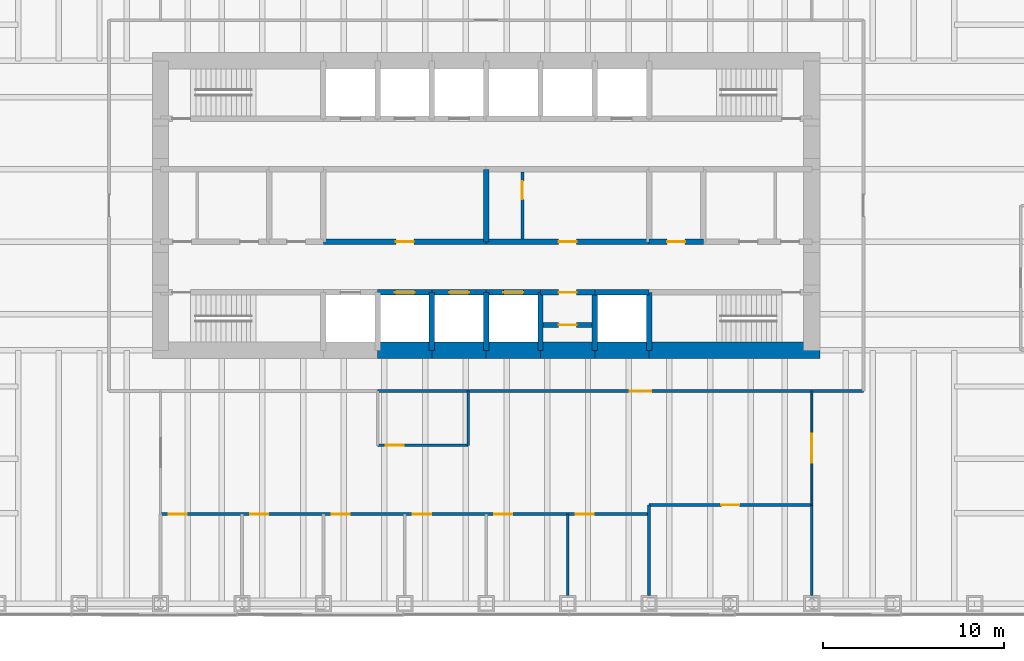
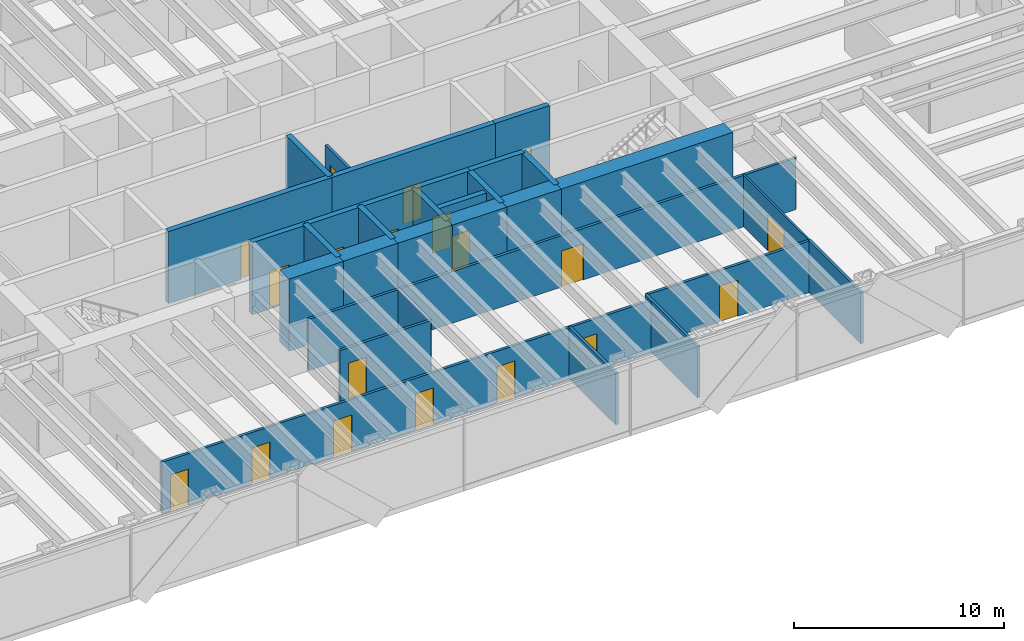
# One storey, part 12 of 15: 32 walls, 19 doors, 19 openings.
"""IFC4 building model written with IfcOpenShell, lengths in metres."""

import ifcopenshell
import ifcopenshell.guid

model = None  # the IFC model being written
_history = None  # IfcOwnerHistory: only IFC2X3 demands one
_inside = {}  # id of a spatial element -> (the spatial element, [elements in it])
_under = {}  # id of a project, library or spatial element -> (it, [spatial elements below it])
_declared = {}  # id of a project -> (the project, [libraries it declares])
_typed = {}  # id of a type object -> (the type object, [elements of that type])
_made_of = {}  # id of a material, layer set ... -> (it, [elements and type objects made of it])


def new_model(schema):
    """Start an empty IFC model of exactly this schema.

    Asked for "IFC4X3", IfcOpenShell would pick the latest addendum, in which some entities
    have other attributes; the version numbers below select the first issue.
    IFC2X3 requires an IfcOwnerHistory on every rooted entity: one is made here for all.
    """
    global model, _history
    if schema == "IFC4X3":
        model = ifcopenshell.file(schema_version=(4, 3, 0, 0))
    else:
        model = ifcopenshell.file(schema=schema)
    _inside.clear()
    _under.clear()
    _declared.clear()
    _typed.clear()
    _made_of.clear()
    _history = None
    if model.schema == "IFC2X3":
        org = make("IfcOrganization", Name="unknown")
        user = make(
            "IfcPersonAndOrganization",
            ThePerson=make("IfcPerson", FamilyName="unknown"),
            TheOrganization=org,
        )
        app = make(
            "IfcApplication",
            ApplicationDeveloper=org,
            Version="unknown",
            ApplicationFullName="unknown",
            ApplicationIdentifier="unknown",
        )
        _history = make(
            "IfcOwnerHistory",
            OwningUser=user,
            OwningApplication=app,
            ChangeAction="ADDED",
            CreationDate=0,
        )
    return model


def make(cls, **values):
    """One entity of the class cls with the attributes given. An attribute that is None is left unset."""
    return model.create_entity(
        cls, **{name: value for name, value in values.items() if value is not None}
    )


def rooted(cls, **values):
    """An entity with a GlobalId (a new one), such as an element, a storey or a relation."""
    return make(cls, GlobalId=ifcopenshell.guid.new(), OwnerHistory=_history, **values)


def si_unit(unit_type, name, prefix=None):
    """IfcSIUnit, for example si_unit("LENGTHUNIT", "METRE", prefix="MILLI")."""
    return make("IfcSIUnit", UnitType=unit_type, Prefix=prefix, Name=name)


def assignment(units):
    """IfcUnitAssignment: the units of a project."""
    return None if units is None else make("IfcUnitAssignment", Units=units)


def point(xyz):
    """IfcCartesianPoint."""
    return None if xyz is None else make("IfcCartesianPoint", Coordinates=xyz)


def direction(xyz):
    """IfcDirection."""
    return None if xyz is None else make("IfcDirection", DirectionRatios=xyz)


def frame(location, z_axis=None, x_axis=None):
    """IfcAxis2Placement3D, a coordinate frame: its origin and axes. An axis left out is left unset."""
    return make(
        "IfcAxis2Placement3D",
        Location=point(location),
        Axis=direction(z_axis),
        RefDirection=direction(x_axis),
    )


def frame_2d(location, x_axis=None):
    """IfcAxis2Placement2D, a coordinate frame in the plane: its origin and x axis."""
    return make(
        "IfcAxis2Placement2D", Location=point(location), RefDirection=direction(x_axis)
    )


def origin():
    """The frame at (0, 0, 0) with its axes left unset."""
    return frame((0.0, 0.0, 0.0))


def place(relative_to, where):
    """IfcLocalPlacement: puts the frame where relative to a parent placement (None: the world)."""
    return make(
        "IfcLocalPlacement", PlacementRelTo=relative_to, RelativePlacement=where
    )


def context(
    kind, dimensions, precision=None, world=None, true_north=None, identifier=None
):
    """IfcGeometricRepresentationContext, for example the 3D "Model" context."""
    return make(
        "IfcGeometricRepresentationContext",
        ContextIdentifier=identifier,
        ContextType=kind,
        CoordinateSpaceDimension=dimensions,
        Precision=precision,
        WorldCoordinateSystem=world,
        TrueNorth=true_north,
    )


def subcontext(parent, identifier, kind, view, scale=None):
    """IfcGeometricRepresentationSubContext, for example "Body" below "Model"."""
    return make(
        "IfcGeometricRepresentationSubContext",
        ContextIdentifier=identifier,
        ContextType=kind,
        ParentContext=parent,
        TargetScale=scale,
        TargetView=view,
    )


def project(units=None, contexts=None):
    """IfcProject with its units and contexts."""
    return rooted(
        "IfcProject",
        Name="project",
        RepresentationContexts=contexts,
        UnitsInContext=assignment(units),
    )


def spatial(cls, under=None, at=None, **own):
    """A site, building, storey or space (cls), placed at a placement, below another one or the project."""
    s = rooted(cls, ObjectPlacement=at, **own)
    if under is not None:
        _under.setdefault(under.id(), (under, []))[1].append(s)
    return s


def profile(cls, at=None, kind="AREA", **sizes):
    """A parametric profile (cls). Its sizes go by their IFC names, for example OverallWidth=200.0."""
    return make(cls, ProfileType=kind, Position=at, **sizes)


def rectangle(**sizes):
    """IfcRectangleProfileDef."""
    return profile("IfcRectangleProfileDef", **sizes)


def extrude(swept, where, along, depth):
    """IfcExtrudedAreaSolid: the profile swept, set in the frame where, extruded along a direction by depth."""
    return make(
        "IfcExtrudedAreaSolid",
        SweptArea=swept,
        Position=where,
        ExtrudedDirection=direction(along),
        Depth=depth,
    )


def shape(context_of_items, identifier, shape_type, items):
    """IfcShapeRepresentation: the items that make up one representation, for example the "Body"."""
    return make(
        "IfcShapeRepresentation",
        ContextOfItems=context_of_items,
        RepresentationIdentifier=identifier,
        RepresentationType=shape_type,
        Items=items,
    )


def material(Name=None, Category=None):
    """IfcMaterial."""
    return make("IfcMaterial", Name=Name, Category=Category)


def layer(
    of_material, thickness, ventilated=None, Name=None, Category=None, Priority=None
):
    """IfcMaterialLayer: one layer of a wall or slab, of a material (None: an air gap)."""
    return make(
        "IfcMaterialLayer",
        Material=of_material,
        LayerThickness=thickness,
        IsVentilated=ventilated,
        Name=Name,
        Category=Category,
        Priority=Priority,
    )


def layer_set(layers, Name=None):
    """IfcMaterialLayerSet."""
    return make("IfcMaterialLayerSet", MaterialLayers=layers, LayerSetName=Name)


def made_of(thing, what):
    """Note that an element or type object is made of a material, layer set ...; save() writes the relation."""
    if what is not None:
        _made_of.setdefault(what.id(), (what, []))[1].append(thing)
    return thing


def type_object(cls, material=None, **own):
    """A type object (cls), such as IfcWallType, which elements share."""
    return made_of(rooted(cls, **own), material)


def element(
    cls,
    number,
    at=None,
    inside=None,
    cuts=None,
    type_object=None,
    material=None,
    context=None,
    identifier="Body",
    shape_type=None,
    held_by="IfcProductDefinitionShape",
    body=None,
    shapes=None,
    **own,
):
    """One element of the class cls, such as IfcWall. Its Tag is "e" and its number.

    at: its placement. inside: the storey or other place that contains it. cuts: it is an
    opening in that element (IfcRelVoidsElement). A single representation is given by context,
    identifier, shape_type and body (its items); several are given by shapes. held_by: the class
    of the entity that holds the representations. save() writes the other relations.
    """
    e = rooted(cls, Tag="e%d" % number, ObjectPlacement=at, **own)
    if body is not None:
        shapes = [shape(context, identifier, shape_type, body)]
    if shapes is not None:
        e.Representation = make(held_by, Representations=shapes)
    if inside is not None:
        _inside.setdefault(inside.id(), (inside, []))[1].append(e)
    if cuts is not None:
        rooted(
            "IfcRelVoidsElement", RelatingBuildingElement=cuts, RelatedOpeningElement=e
        )
    if type_object is not None:
        _typed.setdefault(type_object.id(), (type_object, []))[1].append(e)
    return made_of(e, material)


def fill(opening, filler):
    """IfcRelFillsElement: the door or window that sits in an opening."""
    return rooted(
        "IfcRelFillsElement",
        RelatingOpeningElement=opening,
        RelatedBuildingElement=filler,
    )


def aggregate(whole, parts):
    """IfcRelAggregates: a whole, such as a stair, and the parts it consists of."""
    return rooted("IfcRelAggregates", RelatingObject=whole, RelatedObjects=parts)


def save(model, path):
    """Write the relations noted so far, then the file.

    IfcRelAggregates (storeys below a building ...), IfcRelContainedInSpatialStructure (elements
    in a storey), IfcRelDefinesByType, IfcRelAssociatesMaterial and IfcRelDeclares: one each for
    every whole, place, type object, material and project.
    """
    for whole, parts in _under.values():
        aggregate(whole, parts)
    for where, things in _inside.values():
        rooted(
            "IfcRelContainedInSpatialStructure",
            RelatedElements=things,
            RelatingStructure=where,
        )
    for kind, things in _typed.values():
        rooted("IfcRelDefinesByType", RelatedObjects=things, RelatingType=kind)
    for what, things in _made_of.values():
        rooted("IfcRelAssociatesMaterial", RelatedObjects=things, RelatingMaterial=what)
    for by, libraries in _declared.values():
        rooted("IfcRelDeclares", RelatingContext=by, RelatedDefinitions=libraries)
    model.write(path)


model = new_model("IFC4")

# Units and contexts
model_context = context("Model", 3, precision=1e-05, world=origin(), true_north=direction((0.0, 1.0)))
body_context = subcontext(model_context, "Body", "Model", "MODEL_VIEW")
ifc_project = project(units=[si_unit("LENGTHUNIT", "METRE"), si_unit("AREAUNIT", "SQUARE_METRE"), si_unit("VOLUMEUNIT", "CUBIC_METRE"), si_unit("PLANEANGLEUNIT", "RADIAN"), si_unit("MASSUNIT", "GRAM", prefix="KILO")], contexts=[model_context])

# Site, building, storey
site_placement = place(None, origin())
site = spatial("IfcSite", under=ifc_project, at=site_placement, CompositionType="ELEMENT")
building_placement = place(site_placement, origin())
building = spatial("IfcBuilding", under=site, at=building_placement, Name="Rheinbord Bourse Tower", CompositionType="ELEMENT")
storey_placement = place(building_placement, frame((0.0, 0.0, 104.699951171875)))
storey = spatial("IfcBuildingStorey", under=building, at=storey_placement, Name="L22", CompositionType="ELEMENT", Elevation=104.699951171875)

# Wall, opening, door
ifc_material_1 = material(Name="Concrete C50/60", Category="concrete")
ifc_layer_1 = layer(ifc_material_1, 0.300048828125)
ifc_layer_set_1 = layer_set([ifc_layer_1], Name="CORE INNER WALL 300")
wall_type_1 = type_object("IfcWallType", Name="CORE INNER WALL 300", PredefinedType="SOLIDWALL", material=ifc_layer_set_1)
wall_1_placement = place(storey_placement, frame((30.0, 19.199951171875, 0.0), z_axis=(0.0, 0.0, 1.0), x_axis=(1.0, 0.0, 0.0)))
wall_1 = element("IfcWall", 1, at=wall_1_placement, inside=storey, type_object=wall_type_1, Name="Core wall A3 L22", PredefinedType="SOLIDWALL", context=body_context, shape_type="SweptSolid", body=[
    extrude(rectangle(XDim=3.0, YDim=0.300048828125, at=frame_2d((1.5, 0.0))), origin(), (0.0, 0.0, 1.0), 4.199951171875),
])
opening_1_placement = place(wall_1_placement, frame((0.949951171875, 0.0, 0.0)))
opening_1 = element("IfcOpeningElement", 2, at=opening_1_placement, cuts=wall_1, Name="Opening PB1", PredefinedType="OPENING", context=body_context, shape_type="SweptSolid", body=[
    extrude(rectangle(XDim=1.10009765625, YDim=2.199951171875, at=frame_2d((0.550048828125, 1.10009765625))), frame((0.0, 0.159912109375, 0.0), z_axis=(0.0, -1.0, 0.0), x_axis=(1.0, 0.0, 0.0)), (0.0, 0.0, 1.0), 0.320068359375),
])
ifc_material_2 = material(Name="Steel landing door", Category="steel")
door_type_1 = type_object("IfcDoorType", Name="LIFT LANDING DOOR 1100", OperationType="DOUBLE_DOOR_SLIDING", PredefinedType="USERDEFINED", material=ifc_material_2)
door_1_placement = place(opening_1_placement, origin())
door_1 = element("IfcDoor", 3, at=door_1_placement, inside=storey, type_object=door_type_1, Name="Lift landing door PB1 L22", ObjectType="LIFT LANDING DOOR", OperationType="DOUBLE_DOOR_SLIDING", OverallHeight=2.199951171875, OverallWidth=1.10009765625, PredefinedType="USERDEFINED", context=body_context, shape_type="SweptSolid", body=[
    extrude(rectangle(XDim=1.10009765625, YDim=2.199951171875, at=frame_2d((0.550048828125, 1.10009765625))), frame((0.0, 0.02490234375, 0.0), z_axis=(0.0, -1.0, 0.0), x_axis=(1.0, 0.0, 0.0)), (0.0, 0.0, 1.0), 0.050048828125),
])
fill(opening_1, door_1)

wall_2_placement = place(storey_placement, frame((33.0, 19.199951171875, 0.0), z_axis=(0.0, 0.0, 1.0), x_axis=(1.0, 0.0, 0.0)))
wall_2 = element("IfcWall", 4, at=wall_2_placement, inside=storey, type_object=wall_type_1, Name="Core wall A4 L22", PredefinedType="SOLIDWALL", context=body_context, shape_type="SweptSolid", body=[
    extrude(rectangle(XDim=3.0, YDim=0.300048828125, at=frame_2d((1.5, 0.0))), origin(), (0.0, 0.0, 1.0), 4.199951171875),
])
opening_2_placement = place(wall_2_placement, frame((0.949951171875, 0.0, 0.0)))
opening_2 = element("IfcOpeningElement", 5, at=opening_2_placement, cuts=wall_2, Name="Opening PB2", PredefinedType="OPENING", context=body_context, shape_type="SweptSolid", body=[
    extrude(rectangle(XDim=1.10009765625, YDim=2.199951171875, at=frame_2d((0.550048828125, 1.10009765625))), frame((0.0, 0.159912109375, 0.0), z_axis=(0.0, -1.0, 0.0), x_axis=(1.0, 0.0, 0.0)), (0.0, 0.0, 1.0), 0.320068359375),
])
door_2_placement = place(opening_2_placement, origin())
door_2 = element("IfcDoor", 6, at=door_2_placement, inside=storey, type_object=door_type_1, Name="Lift landing door PB2 L22", ObjectType="LIFT LANDING DOOR", OperationType="DOUBLE_DOOR_SLIDING", OverallHeight=2.199951171875, OverallWidth=1.10009765625, PredefinedType="USERDEFINED", context=body_context, shape_type="SweptSolid", body=[
    extrude(rectangle(XDim=1.10009765625, YDim=2.199951171875, at=frame_2d((0.550048828125, 1.10009765625))), frame((0.0, 0.02490234375, 0.0), z_axis=(0.0, -1.0, 0.0), x_axis=(1.0, 0.0, 0.0)), (0.0, 0.0, 1.0), 0.050048828125),
])
fill(opening_2, door_2)

wall_3_placement = place(storey_placement, frame((36.0, 19.199951171875, 0.0), z_axis=(0.0, 0.0, 1.0), x_axis=(1.0, 0.0, 0.0)))
wall_3 = element("IfcWall", 7, at=wall_3_placement, inside=storey, type_object=wall_type_1, Name="Core wall A5 L22", PredefinedType="SOLIDWALL", context=body_context, shape_type="SweptSolid", body=[
    extrude(rectangle(XDim=3.0, YDim=0.300048828125, at=frame_2d((1.5, 0.0))), origin(), (0.0, 0.0, 1.0), 4.199951171875),
])
opening_3_placement = place(wall_3_placement, frame((0.949951171875, 0.0, 0.0)))
opening_3 = element("IfcOpeningElement", 8, at=opening_3_placement, cuts=wall_3, Name="Opening PB3", PredefinedType="OPENING", context=body_context, shape_type="SweptSolid", body=[
    extrude(rectangle(XDim=1.10009765625, YDim=2.199951171875, at=frame_2d((0.550048828125, 1.10009765625))), frame((0.0, 0.159912109375, 0.0), z_axis=(0.0, -1.0, 0.0), x_axis=(1.0, 0.0, 0.0)), (0.0, 0.0, 1.0), 0.320068359375),
])
door_3_placement = place(opening_3_placement, origin())
door_3 = element("IfcDoor", 9, at=door_3_placement, inside=storey, type_object=door_type_1, Name="Lift landing door PB3 L22", ObjectType="LIFT LANDING DOOR", OperationType="DOUBLE_DOOR_SLIDING", OverallHeight=2.199951171875, OverallWidth=1.10009765625, PredefinedType="USERDEFINED", context=body_context, shape_type="SweptSolid", body=[
    extrude(rectangle(XDim=1.10009765625, YDim=2.199951171875, at=frame_2d((0.550048828125, 1.10009765625))), frame((0.0, 0.02490234375, 0.0), z_axis=(0.0, -1.0, 0.0), x_axis=(1.0, 0.0, 0.0)), (0.0, 0.0, 1.0), 0.050048828125),
])
fill(opening_3, door_3)

wall_4_placement = place(storey_placement, frame((39.0, 19.199951171875, 0.0), z_axis=(0.0, 0.0, 1.0), x_axis=(1.0, 0.0, 0.0)))
wall_4 = element("IfcWall", 10, at=wall_4_placement, inside=storey, type_object=wall_type_1, Name="Core wall A6 L22", PredefinedType="SOLIDWALL", context=body_context, shape_type="SweptSolid", body=[
    extrude(rectangle(XDim=3.0, YDim=0.300048828125, at=frame_2d((1.5, 0.0))), origin(), (0.0, 0.0, 1.0), 4.199951171875),
])
opening_4_placement = place(wall_4_placement, frame((1.0, 0.0, 0.0)))
opening_4 = element("IfcOpeningElement", 11, at=opening_4_placement, cuts=wall_4, Name="Opening 22R8", PredefinedType="OPENING", context=body_context, shape_type="SweptSolid", body=[
    extrude(rectangle(XDim=1.0, YDim=2.10009765625, at=frame_2d((0.5, 1.050048828125))), frame((0.0, 0.159912109375, 0.0), z_axis=(0.0, -1.0, 0.0), x_axis=(1.0, 0.0, 0.0)), (0.0, 0.0, 1.0), 0.320068359375),
])
ifc_material_3 = material(Name="Steel door", Category="steel")
door_type_2 = type_object("IfcDoorType", Name="DOOR 1000 EI30", OperationType="SINGLE_SWING_LEFT", PredefinedType="DOOR", material=ifc_material_3)
door_4_placement = place(opening_4_placement, origin())
door_4 = element("IfcDoor", 12, at=door_4_placement, inside=storey, type_object=door_type_2, Name="Supplies store door L22", OperationType="SINGLE_SWING_LEFT", OverallHeight=2.10009765625, OverallWidth=1.0, PredefinedType="DOOR", context=body_context, shape_type="SweptSolid", body=[
    extrude(rectangle(XDim=1.0, YDim=2.10009765625, at=frame_2d((0.5, 1.050048828125))), frame((0.0, 0.02490234375, 0.0), z_axis=(0.0, -1.0, 0.0), x_axis=(1.0, 0.0, 0.0)), (0.0, 0.0, 1.0), 0.050048828125),
])
fill(opening_4, door_4)

# Wall
wall_5_placement = place(storey_placement, frame((42.0, 19.199951171875, 0.0), z_axis=(0.0, 0.0, 1.0), x_axis=(1.0, 0.0, 0.0)))
element("IfcWall", 13, at=wall_5_placement, inside=storey, type_object=wall_type_1, Name="Core wall A7 L22", PredefinedType="SOLIDWALL", context=body_context, shape_type="SweptSolid", body=[
    extrude(rectangle(XDim=3.0, YDim=0.300048828125, at=frame_2d((1.5, 0.0))), origin(), (0.0, 0.0, 1.0), 4.199951171875),
])

# Wall, opening, door
wall_6_placement = place(storey_placement, frame((27.0, 22.0, 0.0), z_axis=(0.0, 0.0, 1.0), x_axis=(1.0, 0.0, 0.0)))
wall_6 = element("IfcWall", 14, at=wall_6_placement, inside=storey, type_object=wall_type_1, Name="Core wall C3 L22", PredefinedType="SOLIDWALL", context=body_context, shape_type="SweptSolid", body=[
    extrude(rectangle(XDim=9.0, YDim=0.300048828125, at=frame_2d((4.5, 0.0))), origin(), (0.0, 0.0, 1.0), 4.199951171875),
])
opening_5_placement = place(wall_6_placement, frame((4.0, 0.0, 0.0)))
opening_5 = element("IfcOpeningElement", 15, at=opening_5_placement, cuts=wall_6, Name="Opening 22R3", PredefinedType="OPENING", context=body_context, shape_type="SweptSolid", body=[
    extrude(rectangle(XDim=1.0, YDim=2.10009765625, at=frame_2d((0.5, 1.050048828125))), frame((0.0, 0.159912109375, 0.0), z_axis=(0.0, -1.0, 0.0), x_axis=(1.0, 0.0, 0.0)), (0.0, 0.0, 1.0), 0.320068359375),
])
door_5_placement = place(opening_5_placement, origin())
door_5 = element("IfcDoor", 16, at=door_5_placement, inside=storey, type_object=door_type_2, Name="Riser door L22", OperationType="SINGLE_SWING_LEFT", OverallHeight=2.10009765625, OverallWidth=1.0, PredefinedType="DOOR", context=body_context, shape_type="SweptSolid", body=[
    extrude(rectangle(XDim=1.0, YDim=2.10009765625, at=frame_2d((0.5, 1.050048828125))), frame((0.0, 0.02490234375, 0.0), z_axis=(0.0, -1.0, 0.0), x_axis=(1.0, 0.0, 0.0)), (0.0, 0.0, 1.0), 0.050048828125),
])
fill(opening_5, door_5)

wall_7_placement = place(storey_placement, frame((36.0, 22.0, 0.0), z_axis=(0.0, 0.0, 1.0), x_axis=(1.0, 0.0, 0.0)))
wall_7 = element("IfcWall", 17, at=wall_7_placement, inside=storey, type_object=wall_type_1, Name="Core wall C4 L22", PredefinedType="SOLIDWALL", context=body_context, shape_type="SweptSolid", body=[
    extrude(rectangle(XDim=9.0, YDim=0.300048828125, at=frame_2d((4.5, 0.0))), origin(), (0.0, 0.0, 1.0), 4.199951171875),
])
opening_6_placement = place(wall_7_placement, frame((4.0, 0.0, 0.0)))
opening_6 = element("IfcOpeningElement", 18, at=opening_6_placement, cuts=wall_7, Name="Opening 22R4", PredefinedType="OPENING", context=body_context, shape_type="SweptSolid", body=[
    extrude(rectangle(XDim=1.0, YDim=2.10009765625, at=frame_2d((0.5, 1.050048828125))), frame((0.0, 0.159912109375, 0.0), z_axis=(0.0, -1.0, 0.0), x_axis=(1.0, 0.0, 0.0)), (0.0, 0.0, 1.0), 0.320068359375),
])
door_6_placement = place(opening_6_placement, origin())
door_6 = element("IfcDoor", 19, at=door_6_placement, inside=storey, type_object=door_type_2, Name="Staff locker room door L22", OperationType="SINGLE_SWING_LEFT", OverallHeight=2.10009765625, OverallWidth=1.0, PredefinedType="DOOR", context=body_context, shape_type="SweptSolid", body=[
    extrude(rectangle(XDim=1.0, YDim=2.10009765625, at=frame_2d((0.5, 1.050048828125))), frame((0.0, 0.02490234375, 0.0), z_axis=(0.0, -1.0, 0.0), x_axis=(1.0, 0.0, 0.0)), (0.0, 0.0, 1.0), 0.050048828125),
])
fill(opening_6, door_6)

wall_8_placement = place(storey_placement, frame((45.0, 22.0, 0.0), z_axis=(0.0, 0.0, 1.0), x_axis=(1.0, 0.0, 0.0)))
wall_8 = element("IfcWall", 20, at=wall_8_placement, inside=storey, type_object=wall_type_1, Name="Core wall C5 L22", PredefinedType="SOLIDWALL", context=body_context, shape_type="SweptSolid", body=[
    extrude(rectangle(XDim=3.0, YDim=0.300048828125, at=frame_2d((1.5, 0.0))), origin(), (0.0, 0.0, 1.0), 4.199951171875),
])
opening_7_placement = place(wall_8_placement, frame((1.0, 0.0, 0.0)))
opening_7 = element("IfcOpeningElement", 21, at=opening_7_placement, cuts=wall_8, Name="Opening 22R5", PredefinedType="OPENING", context=body_context, shape_type="SweptSolid", body=[
    extrude(rectangle(XDim=1.0, YDim=2.10009765625, at=frame_2d((0.5, 1.050048828125))), frame((0.0, 0.159912109375, 0.0), z_axis=(0.0, -1.0, 0.0), x_axis=(1.0, 0.0, 0.0)), (0.0, 0.0, 1.0), 0.320068359375),
])
ifc_material_4 = material(Name="Timber door", Category="wood")
door_type_3 = type_object("IfcDoorType", Name="DOOR 1000 WC", OperationType="SINGLE_SWING_LEFT", PredefinedType="DOOR", material=ifc_material_4)
door_7_placement = place(opening_7_placement, origin())
door_7 = element("IfcDoor", 22, at=door_7_placement, inside=storey, type_object=door_type_3, Name="Accessible WC door L22", OperationType="SINGLE_SWING_LEFT", OverallHeight=2.10009765625, OverallWidth=1.0, PredefinedType="DOOR", context=body_context, shape_type="SweptSolid", body=[
    extrude(rectangle(XDim=1.0, YDim=2.10009765625, at=frame_2d((0.5, 1.050048828125))), frame((0.0, 0.02490234375, 0.0), z_axis=(0.0, -1.0, 0.0), x_axis=(1.0, 0.0, 0.0)), (0.0, 0.0, 1.0), 0.050048828125),
])
fill(opening_7, door_7)

# Walls
for number, where, z_axis, x_axis, name in (
    (23, (33.0, 16.0, 0.0), (0.0, 0.0, 1.0), (0.0, 1.0, 0.0), "Core wall SX33 L22"),
    (24, (36.0, 16.0, 0.0), (0.0, 0.0, 1.0), (0.0, 1.0, 0.0), "Core wall SX36 L22"),
    (25, (39.0, 16.0, 0.0), (0.0, 0.0, 1.0), (0.0, 1.0, 0.0), "Core wall SX39 L22"),
    (26, (42.0, 16.0, 0.0), (0.0, 0.0, 1.0), (0.0, 1.0, 0.0), "Core wall SX42 L22"),
    (27, (45.0, 16.0, 0.0), (0.0, 0.0, 1.0), (0.0, 1.0, 0.0), "Core wall SX45 L22"),
):
    element("IfcWall", number, at=place(storey_placement, frame(where, z_axis=z_axis, x_axis=x_axis)), inside=storey, type_object=wall_type_1, Name=name, PredefinedType="SOLIDWALL", context=body_context, shape_type="SweptSolid", body=[
        extrude(rectangle(XDim=3.199951171875, YDim=0.300048828125, at=frame_2d((1.60009765625, 0.0))), origin(), (0.0, 0.0, 1.0), 4.199951171875),
    ])
wall_9_placement = place(storey_placement, frame((36.0, 22.0, 0.0), z_axis=(0.0, 0.0, 1.0), x_axis=(0.0, 1.0, 0.0)))
element("IfcWall", 28, at=wall_9_placement, inside=storey, type_object=wall_type_1, Name="Core wall MX36 L22", PredefinedType="SOLIDWALL", context=body_context, shape_type="SweptSolid", body=[
    extrude(rectangle(XDim=4.0, YDim=0.300048828125, at=frame_2d((2.0, 0.0))), origin(), (0.0, 0.0, 1.0), 4.199951171875),
])

# Wall, opening, door
wall_10_placement = place(storey_placement, frame((39.14990234375, 17.39990234375, 0.0), z_axis=(0.0, 0.0, 1.0), x_axis=(1.0, 0.0, 0.0)))
wall_10 = element("IfcWall", 29, at=wall_10_placement, inside=storey, type_object=wall_type_1, Name="Core riser wall L22-6", PredefinedType="SOLIDWALL", context=body_context, shape_type="SweptSolid", body=[
    extrude(rectangle(XDim=2.7001953125, YDim=0.300048828125, at=frame_2d((1.35009765625, 0.0))), origin(), (0.0, 0.0, 1.0), 4.0400390625),
])
opening_8_placement = place(wall_10_placement, frame((0.85009765625, 0.0, 0.0)))
opening_8 = element("IfcOpeningElement", 30, at=opening_8_placement, cuts=wall_10, Name="Opening 22R12", PredefinedType="OPENING", context=body_context, shape_type="SweptSolid", body=[
    extrude(rectangle(XDim=1.0, YDim=2.10009765625, at=frame_2d((0.5, 1.050048828125))), frame((0.0, 0.159912109375, 0.0), z_axis=(0.0, -1.0, 0.0), x_axis=(1.0, 0.0, 0.0)), (0.0, 0.0, 1.0), 0.320068359375),
])
door_8_placement = place(opening_8_placement, origin())
door_8 = element("IfcDoor", 31, at=door_8_placement, inside=storey, type_object=door_type_2, Name="Comms riser door L22", OperationType="SINGLE_SWING_LEFT", OverallHeight=2.10009765625, OverallWidth=1.0, PredefinedType="DOOR", context=body_context, shape_type="SweptSolid", body=[
    extrude(rectangle(XDim=1.0, YDim=2.10009765625, at=frame_2d((0.5, 1.050048828125))), frame((0.0, 0.02490234375, 0.0), z_axis=(0.0, -1.0, 0.0), x_axis=(1.0, 0.0, 0.0)), (0.0, 0.0, 1.0), 0.050048828125),
])
fill(opening_8, door_8)

ifc_material_5 = material(Name="Gypsum board fire partition", Category="gypsum board")
ifc_layer_2 = layer(ifc_material_5, 0.14990234375)
ifc_layer_set_2 = layer_set([ifc_layer_2], Name="CORE PARTITION 150 EI30")
wall_type_2 = type_object("IfcWallType", Name="CORE PARTITION 150 EI30", PredefinedType="PARTITIONING", material=ifc_layer_set_2)
wall_11_placement = place(storey_placement, frame((38.0, 22.14990234375, 0.0), z_axis=(0.0, 0.0, 1.0), x_axis=(0.0, 1.0, 0.0)))
wall_11 = element("IfcWall", 32, at=wall_11_placement, inside=storey, type_object=wall_type_2, Name="Core partition L22-1", PredefinedType="PARTITIONING", context=body_context, shape_type="SweptSolid", body=[
    extrude(rectangle(XDim=3.7001953125, YDim=0.14990234375, at=frame_2d((1.85009765625, 0.0))), origin(), (0.0, 0.0, 1.0), 3.0),
])
opening_9_placement = place(wall_11_placement, frame((2.199951171875, 0.0, 0.0)))
opening_9 = element("IfcOpeningElement", 33, at=opening_9_placement, cuts=wall_11, Name="Opening 22R7", PredefinedType="OPENING", context=body_context, shape_type="SweptSolid", body=[
    extrude(rectangle(XDim=1.0, YDim=2.10009765625, at=frame_2d((0.5, 1.050048828125))), frame((0.0, 0.0849609375, 0.0), z_axis=(0.0, -1.0, 0.0), x_axis=(1.0, 0.0, 0.0)), (0.0, 0.0, 1.0), 0.169921875),
])
door_9_placement = place(opening_9_placement, origin())
door_9 = element("IfcDoor", 34, at=door_9_placement, inside=storey, type_object=door_type_2, Name="Staff shower door L22", OperationType="SINGLE_SWING_RIGHT", OverallHeight=2.10009765625, OverallWidth=1.0, PredefinedType="DOOR", context=body_context, shape_type="SweptSolid", body=[
    extrude(rectangle(XDim=1.0, YDim=2.10009765625, at=frame_2d((0.5, 1.050048828125))), frame((0.0, 0.02490234375, 0.0), z_axis=(0.0, -1.0, 0.0), x_axis=(1.0, 0.0, 0.0)), (0.0, 0.0, 1.0), 0.050048828125),
])
fill(opening_9, door_9)

# Walls
ifc_material_6 = material(Name="Concrete C50/60", Category="concrete")
ifc_layer_3 = layer(ifc_material_6, 0.89990234375)
ifc_layer_set_3 = layer_set([ifc_layer_3], Name="CORE WALL 900")
wall_type_3 = type_object("IfcWallType", Name="CORE WALL 900", PredefinedType="SHEAR", material=ifc_layer_set_3)
for number, where, z_axis, x_axis, name in (
    (35, (30.0, 16.0, 0.0), (0.0, 0.0, 1.0), (1.0, 0.0, 0.0), "Core wall S3 L22"),
    (36, (33.0, 16.0, 0.0), (0.0, 0.0, 1.0), (1.0, 0.0, 0.0), "Core wall S4 L22"),
    (37, (36.0, 16.0, 0.0), (0.0, 0.0, 1.0), (1.0, 0.0, 0.0), "Core wall S5 L22"),
    (38, (39.0, 16.0, 0.0), (0.0, 0.0, 1.0), (1.0, 0.0, 0.0), "Core wall S6 L22"),
    (39, (42.0, 16.0, 0.0), (0.0, 0.0, 1.0), (1.0, 0.0, 0.0), "Core wall S7 L22"),
):
    element("IfcWall", number, at=place(storey_placement, frame(where, z_axis=z_axis, x_axis=x_axis)), inside=storey, type_object=wall_type_3, Name=name, PredefinedType="SHEAR", context=body_context, shape_type="SweptSolid", body=[
        extrude(rectangle(XDim=3.0, YDim=0.89990234375, at=frame_2d((1.5, 0.0))), origin(), (0.0, 0.0, 1.0), 4.199951171875),
    ])
wall_12_placement = place(storey_placement, frame((45.0, 16.0, 0.0), z_axis=(0.0, 0.0, 1.0), x_axis=(1.0, 0.0, 0.0)))
element("IfcWall", 40, at=wall_12_placement, inside=storey, type_object=wall_type_3, Name="Core wall S8 L22", PredefinedType="SHEAR", context=body_context, shape_type="SweptSolid", body=[
    extrude(rectangle(XDim=9.449951171875, YDim=0.89990234375, at=frame_2d((4.72509765625, 0.0))), origin(), (0.0, 0.0, 1.0), 4.199951171875),
])

# Wall, opening, door
ifc_material_7 = material(Name="Gypsum board corridor partition", Category="gypsum board")
ifc_layer_4 = layer(ifc_material_7, 0.14990234375)
ifc_layer_set_4 = layer_set([ifc_layer_4], Name="CORRIDOR PARTITION 150 EI30")
wall_type_4 = type_object("IfcWallType", Name="CORRIDOR PARTITION 150 EI30", PredefinedType="PARTITIONING", material=ifc_layer_set_4)
wall_13_placement = place(storey_placement, frame((35.0, 13.75, 0.0), z_axis=(0.0, 0.0, 1.0), x_axis=(1.0, 0.0, 0.0)))
wall_13 = element("IfcWall", 41, at=wall_13_placement, inside=storey, type_object=wall_type_4, Name="Partition L22-06", PredefinedType="PARTITIONING", context=body_context, shape_type="SweptSolid", body=[
    extrude(rectangle(XDim=21.85009765625, YDim=0.14990234375, at=frame_2d((10.925048828125, 0.0))), origin(), (0.0, 0.0, 1.0), 3.0),
])
opening_10_placement = place(wall_13_placement, frame((8.925048828125, 0.0, 0.0)))
opening_10 = element("IfcOpeningElement", 42, at=opening_10_placement, cuts=wall_13, Name="Opening 22D26", PredefinedType="OPENING", context=body_context, shape_type="SweptSolid", body=[
    extrude(rectangle(XDim=1.199951171875, YDim=2.10009765625, at=frame_2d((0.60009765625, 1.050048828125))), frame((0.0, 0.0849609375, 0.0), z_axis=(0.0, -1.0, 0.0), x_axis=(1.0, 0.0, 0.0)), (0.0, 0.0, 1.0), 0.169921875),
])
ifc_material_8 = material(Name="Timber fire door", Category="wood")
door_type_4 = type_object("IfcDoorType", Name="SUITE ENTRANCE DOOR 1200 EI30", OperationType="SINGLE_SWING_LEFT", PredefinedType="DOOR", material=ifc_material_8)
door_10_placement = place(opening_10_placement, origin())
door_10 = element("IfcDoor", 43, at=door_10_placement, inside=storey, type_object=door_type_4, Name="Suite entrance 3 door L22", OperationType="SINGLE_SWING_LEFT", OverallHeight=2.10009765625, OverallWidth=1.199951171875, PredefinedType="DOOR", context=body_context, shape_type="SweptSolid", body=[
    extrude(rectangle(XDim=1.199951171875, YDim=2.10009765625, at=frame_2d((0.60009765625, 1.050048828125))), frame((0.0, 0.02490234375, 0.0), z_axis=(0.0, -1.0, 0.0), x_axis=(1.0, 0.0, 0.0)), (0.0, 0.0, 1.0), 0.050048828125),
])
fill(opening_10, door_10)

ifc_material_9 = material(Name="Gypsum board fire partition", Category="gypsum board")
ifc_layer_5 = layer(ifc_material_9, 0.14990234375)
ifc_layer_set_5 = layer_set([ifc_layer_5], Name="FIRE PARTITION 150 EI60")
wall_type_5 = type_object("IfcWallType", Name="FIRE PARTITION 150 EI60", PredefinedType="PARTITIONING", material=ifc_layer_set_5)
wall_14_placement = place(storey_placement, frame((30.0, 10.75, 0.0), z_axis=(0.0, 0.0, 1.0), x_axis=(1.0, 0.0, 0.0)))
wall_14 = element("IfcWall", 44, at=wall_14_placement, inside=storey, type_object=wall_type_5, Name="Partition L22-03", PredefinedType="PARTITIONING", context=body_context, shape_type="SweptSolid", body=[
    extrude(rectangle(XDim=5.0, YDim=0.14990234375, at=frame_2d((2.5, 0.0))), origin(), (0.0, 0.0, 1.0), 3.0),
])
opening_11_placement = place(wall_14_placement, frame((0.449951171875, 0.0, 0.0)))
opening_11 = element("IfcOpeningElement", 45, at=opening_11_placement, cuts=wall_14, Name="Opening 22D08", PredefinedType="OPENING", context=body_context, shape_type="SweptSolid", body=[
    extrude(rectangle(XDim=1.0, YDim=2.10009765625, at=frame_2d((0.5, 1.050048828125))), frame((0.0, 0.0849609375, 0.0), z_axis=(0.0, -1.0, 0.0), x_axis=(1.0, 0.0, 0.0)), (0.0, 0.0, 1.0), 0.169921875),
])
ifc_material_10 = material(Name="Timber fire door", Category="wood")
door_type_5 = type_object("IfcDoorType", Name="FIRE DOOR 1000 EI60", OperationType="SINGLE_SWING_LEFT", PredefinedType="DOOR", material=ifc_material_10)
door_11_placement = place(opening_11_placement, origin())
door_11 = element("IfcDoor", 46, at=door_11_placement, inside=storey, type_object=door_type_5, Name="Comms room door L22", OperationType="SINGLE_SWING_LEFT", OverallHeight=2.10009765625, OverallWidth=1.0, PredefinedType="DOOR", context=body_context, shape_type="SweptSolid", body=[
    extrude(rectangle(XDim=1.0, YDim=2.10009765625, at=frame_2d((0.5, 1.050048828125))), frame((0.0, 0.02490234375, 0.0), z_axis=(0.0, -1.0, 0.0), x_axis=(1.0, 0.0, 0.0)), (0.0, 0.0, 1.0), 0.050048828125),
])
fill(opening_11, door_11)

# Walls
wall_15_placement = place(storey_placement, frame((30.0, 13.75, 0.0), z_axis=(0.0, 0.0, 1.0), x_axis=(1.0, 0.0, 0.0)))
element("IfcWall", 47, at=wall_15_placement, inside=storey, type_object=wall_type_5, Name="Partition L22-05", PredefinedType="PARTITIONING", context=body_context, shape_type="SweptSolid", body=[
    extrude(rectangle(XDim=5.0, YDim=0.14990234375, at=frame_2d((2.5, 0.0))), origin(), (0.0, 0.0, 1.0), 3.0),
])
wall_16_placement = place(storey_placement, frame((35.0, 10.75, 0.0), z_axis=(0.0, 0.0, 1.0), x_axis=(0.0, 1.0, 0.0)))
element("IfcWall", 48, at=wall_16_placement, inside=storey, type_object=wall_type_5, Name="Partition L22-29", PredefinedType="PARTITIONING", context=body_context, shape_type="SweptSolid", body=[
    extrude(rectangle(XDim=3.0, YDim=0.14990234375, at=frame_2d((1.5, 0.0))), origin(), (0.0, 0.0, 1.0), 3.0),
])

# Wall, opening, door
ifc_material_11 = material(Name="Toughened laminated glass partition", Category="glass")
ifc_layer_6 = layer(ifc_material_11, 0.10009765625)
ifc_layer_set_6 = layer_set([ifc_layer_6], Name="GLAZED PARTITION 100")
wall_type_6 = type_object("IfcWallType", Name="GLAZED PARTITION 100", PredefinedType="PARTITIONING", material=ifc_layer_set_6)
wall_17_placement = place(storey_placement, frame((54.0, 7.449951171875, 0.0), z_axis=(0.0, 0.0, 1.0), x_axis=(0.0, 1.0, 0.0)))
wall_17 = element("IfcWall", 49, at=wall_17_placement, inside=storey, type_object=wall_type_6, Name="Partition L22-38", PredefinedType="PARTITIONING", context=body_context, shape_type="SweptSolid", body=[
    extrude(rectangle(XDim=6.300048828125, YDim=0.10009765625, at=frame_2d((3.14990234375, 0.0))), origin(), (0.0, 0.0, 1.0), 3.0),
])
opening_12_placement = place(wall_17_placement, frame((2.35009765625, 0.0, 0.0)))
opening_12 = element("IfcOpeningElement", 50, at=opening_12_placement, cuts=wall_17, Name="Opening 22D22", PredefinedType="OPENING", context=body_context, shape_type="SweptSolid", body=[
    extrude(rectangle(XDim=1.60009765625, YDim=2.10009765625, at=frame_2d((0.800048828125, 1.050048828125))), frame((0.0, 0.06005859375, 0.0), z_axis=(0.0, -1.0, 0.0), x_axis=(1.0, 0.0, 0.0)), (0.0, 0.0, 1.0), 0.1201171875),
])
ifc_material_12 = material(Name="Timber door", Category="wood")
door_type_6 = type_object("IfcDoorType", Name="DOUBLE ROOM DOOR 1600", OperationType="DOUBLE_DOOR_DOUBLE_SWING", PredefinedType="DOOR", material=ifc_material_12)
door_12_placement = place(opening_12_placement, origin())
door_12 = element("IfcDoor", 51, at=door_12_placement, inside=storey, type_object=door_type_6, Name="Open area door L22", OperationType="SINGLE_SWING_LEFT", OverallHeight=2.10009765625, OverallWidth=1.60009765625, PredefinedType="DOOR", context=body_context, shape_type="SweptSolid", body=[
    extrude(rectangle(XDim=1.60009765625, YDim=2.10009765625, at=frame_2d((0.800048828125, 1.050048828125))), frame((0.0, 0.02490234375, 0.0), z_axis=(0.0, -1.0, 0.0), x_axis=(1.0, 0.0, 0.0)), (0.0, 0.0, 1.0), 0.050048828125),
])
fill(opening_12, door_12)

# Wall, openings, doors
ifc_material_13 = material(Name="Gypsum board partition", Category="gypsum board")
ifc_layer_7 = layer(ifc_material_13, 0.14990234375)
ifc_layer_set_7 = layer_set([ifc_layer_7], Name="PARTITION 150")
wall_type_7 = type_object("IfcWallType", Name="PARTITION 150", PredefinedType="PARTITIONING", material=ifc_layer_set_7)
wall_18_placement = place(storey_placement, frame((18.0, 6.949951171875, 0.0), z_axis=(0.0, 0.0, 1.0), x_axis=(1.0, 0.0, 0.0)))
wall_18 = element("IfcWall", 52, at=wall_18_placement, inside=storey, type_object=wall_type_7, Name="Partition L22-01", PredefinedType="PARTITIONING", context=body_context, shape_type="SweptSolid", body=[
    extrude(rectangle(XDim=27.0, YDim=0.14990234375, at=frame_2d((13.5, 0.0))), origin(), (0.0, 0.0, 1.0), 3.0),
])
opening_13_placement = place(wall_18_placement, frame((0.449951171875, 0.0, 0.0)))
opening_13 = element("IfcOpeningElement", 53, at=opening_13_placement, cuts=wall_18, Name="Opening 22D01", PredefinedType="OPENING", context=body_context, shape_type="SweptSolid", body=[
    extrude(rectangle(XDim=1.0, YDim=2.10009765625, at=frame_2d((0.5, 1.050048828125))), frame((0.0, 0.0849609375, 0.0), z_axis=(0.0, -1.0, 0.0), x_axis=(1.0, 0.0, 0.0)), (0.0, 0.0, 1.0), 0.169921875),
])
opening_14_placement = place(wall_18_placement, frame((4.949951171875, 0.0, 0.0)))
opening_14 = element("IfcOpeningElement", 54, at=opening_14_placement, cuts=wall_18, Name="Opening 22D02", PredefinedType="OPENING", context=body_context, shape_type="SweptSolid", body=[
    extrude(rectangle(XDim=1.0, YDim=2.10009765625, at=frame_2d((0.5, 1.050048828125))), frame((0.0, 0.0849609375, 0.0), z_axis=(0.0, -1.0, 0.0), x_axis=(1.0, 0.0, 0.0)), (0.0, 0.0, 1.0), 0.169921875),
])
opening_15_placement = place(wall_18_placement, frame((9.449951171875, 0.0, 0.0)))
opening_15 = element("IfcOpeningElement", 55, at=opening_15_placement, cuts=wall_18, Name="Opening 22D03", PredefinedType="OPENING", context=body_context, shape_type="SweptSolid", body=[
    extrude(rectangle(XDim=1.0, YDim=2.10009765625, at=frame_2d((0.5, 1.050048828125))), frame((0.0, 0.0849609375, 0.0), z_axis=(0.0, -1.0, 0.0), x_axis=(1.0, 0.0, 0.0)), (0.0, 0.0, 1.0), 0.169921875),
])
opening_16_placement = place(wall_18_placement, frame((13.949951171875, 0.0, 0.0)))
opening_16 = element("IfcOpeningElement", 56, at=opening_16_placement, cuts=wall_18, Name="Opening 22D04", PredefinedType="OPENING", context=body_context, shape_type="SweptSolid", body=[
    extrude(rectangle(XDim=1.0, YDim=2.10009765625, at=frame_2d((0.5, 1.050048828125))), frame((0.0, 0.0849609375, 0.0), z_axis=(0.0, -1.0, 0.0), x_axis=(1.0, 0.0, 0.0)), (0.0, 0.0, 1.0), 0.169921875),
])
opening_17_placement = place(wall_18_placement, frame((18.449951171875, 0.0, 0.0)))
opening_17 = element("IfcOpeningElement", 57, at=opening_17_placement, cuts=wall_18, Name="Opening 22D05", PredefinedType="OPENING", context=body_context, shape_type="SweptSolid", body=[
    extrude(rectangle(XDim=1.0, YDim=2.10009765625, at=frame_2d((0.5, 1.050048828125))), frame((0.0, 0.0849609375, 0.0), z_axis=(0.0, -1.0, 0.0), x_axis=(1.0, 0.0, 0.0)), (0.0, 0.0, 1.0), 0.169921875),
])
opening_18_placement = place(wall_18_placement, frame((22.949951171875, 0.0, 0.0)))
opening_18 = element("IfcOpeningElement", 58, at=opening_18_placement, cuts=wall_18, Name="Opening 22D06", PredefinedType="OPENING", context=body_context, shape_type="SweptSolid", body=[
    extrude(rectangle(XDim=1.0, YDim=2.10009765625, at=frame_2d((0.5, 1.050048828125))), frame((0.0, 0.0849609375, 0.0), z_axis=(0.0, -1.0, 0.0), x_axis=(1.0, 0.0, 0.0)), (0.0, 0.0, 1.0), 0.169921875),
])
ifc_material_14 = material(Name="Timber door", Category="wood")
door_type_7 = type_object("IfcDoorType", Name="ROOM DOOR 1000", OperationType="SINGLE_SWING_LEFT", PredefinedType="DOOR", material=ifc_material_14)
door_13_placement = place(opening_13_placement, origin())
door_13 = element("IfcDoor", 59, at=door_13_placement, inside=storey, type_object=door_type_7, Name="Office door L22", OperationType="SINGLE_SWING_LEFT", OverallHeight=2.10009765625, OverallWidth=1.0, PredefinedType="DOOR", context=body_context, shape_type="SweptSolid", body=[
    extrude(rectangle(XDim=1.0, YDim=2.10009765625, at=frame_2d((0.5, 1.050048828125))), frame((0.0, 0.02490234375, 0.0), z_axis=(0.0, -1.0, 0.0), x_axis=(1.0, 0.0, 0.0)), (0.0, 0.0, 1.0), 0.050048828125),
])
fill(opening_13, door_13)
door_14_placement = place(opening_14_placement, origin())
door_14 = element("IfcDoor", 60, at=door_14_placement, inside=storey, type_object=door_type_7, Name="Office door L22", OperationType="SINGLE_SWING_LEFT", OverallHeight=2.10009765625, OverallWidth=1.0, PredefinedType="DOOR", context=body_context, shape_type="SweptSolid", body=[
    extrude(rectangle(XDim=1.0, YDim=2.10009765625, at=frame_2d((0.5, 1.050048828125))), frame((0.0, 0.02490234375, 0.0), z_axis=(0.0, -1.0, 0.0), x_axis=(1.0, 0.0, 0.0)), (0.0, 0.0, 1.0), 0.050048828125),
])
fill(opening_14, door_14)
door_15_placement = place(opening_15_placement, origin())
door_15 = element("IfcDoor", 61, at=door_15_placement, inside=storey, type_object=door_type_7, Name="Office door L22", OperationType="SINGLE_SWING_LEFT", OverallHeight=2.10009765625, OverallWidth=1.0, PredefinedType="DOOR", context=body_context, shape_type="SweptSolid", body=[
    extrude(rectangle(XDim=1.0, YDim=2.10009765625, at=frame_2d((0.5, 1.050048828125))), frame((0.0, 0.02490234375, 0.0), z_axis=(0.0, -1.0, 0.0), x_axis=(1.0, 0.0, 0.0)), (0.0, 0.0, 1.0), 0.050048828125),
])
fill(opening_15, door_15)
door_16_placement = place(opening_16_placement, origin())
door_16 = element("IfcDoor", 62, at=door_16_placement, inside=storey, type_object=door_type_7, Name="Office door L22", OperationType="SINGLE_SWING_RIGHT", OverallHeight=2.10009765625, OverallWidth=1.0, PredefinedType="DOOR", context=body_context, shape_type="SweptSolid", body=[
    extrude(rectangle(XDim=1.0, YDim=2.10009765625, at=frame_2d((0.5, 1.050048828125))), frame((0.0, 0.02490234375, 0.0), z_axis=(0.0, -1.0, 0.0), x_axis=(1.0, 0.0, 0.0)), (0.0, 0.0, 1.0), 0.050048828125),
])
fill(opening_16, door_16)
door_17_placement = place(opening_17_placement, origin())
door_17 = element("IfcDoor", 63, at=door_17_placement, inside=storey, type_object=door_type_7, Name="Office door L22", OperationType="SINGLE_SWING_RIGHT", OverallHeight=2.10009765625, OverallWidth=1.0, PredefinedType="DOOR", context=body_context, shape_type="SweptSolid", body=[
    extrude(rectangle(XDim=1.0, YDim=2.10009765625, at=frame_2d((0.5, 1.050048828125))), frame((0.0, 0.02490234375, 0.0), z_axis=(0.0, -1.0, 0.0), x_axis=(1.0, 0.0, 0.0)), (0.0, 0.0, 1.0), 0.050048828125),
])
fill(opening_17, door_17)
door_18_placement = place(opening_18_placement, origin())
door_18 = element("IfcDoor", 64, at=door_18_placement, inside=storey, type_object=door_type_7, Name="Office door L22", OperationType="SINGLE_SWING_RIGHT", OverallHeight=2.10009765625, OverallWidth=1.0, PredefinedType="DOOR", context=body_context, shape_type="SweptSolid", body=[
    extrude(rectangle(XDim=1.0, YDim=2.10009765625, at=frame_2d((0.5, 1.050048828125))), frame((0.0, 0.02490234375, 0.0), z_axis=(0.0, -1.0, 0.0), x_axis=(1.0, 0.0, 0.0)), (0.0, 0.0, 1.0), 0.050048828125),
])
fill(opening_18, door_18)

# Wall, opening, door
wall_19_placement = place(storey_placement, frame((45.0, 7.449951171875, 0.0), z_axis=(0.0, 0.0, 1.0), x_axis=(1.0, 0.0, 0.0)))
wall_19 = element("IfcWall", 65, at=wall_19_placement, inside=storey, type_object=wall_type_7, Name="Partition L22-02", PredefinedType="PARTITIONING", context=body_context, shape_type="SweptSolid", body=[
    extrude(rectangle(XDim=9.0, YDim=0.14990234375, at=frame_2d((4.5, 0.0))), origin(), (0.0, 0.0, 1.0), 3.0),
])
opening_19_placement = place(wall_19_placement, frame((4.0, 0.0, 0.0)))
opening_19 = element("IfcOpeningElement", 66, at=opening_19_placement, cuts=wall_19, Name="Opening 22D07", PredefinedType="OPENING", context=body_context, shape_type="SweptSolid", body=[
    extrude(rectangle(XDim=1.0, YDim=2.10009765625, at=frame_2d((0.5, 1.050048828125))), frame((0.0, 0.0849609375, 0.0), z_axis=(0.0, -1.0, 0.0), x_axis=(1.0, 0.0, 0.0)), (0.0, 0.0, 1.0), 0.169921875),
])
door_19_placement = place(opening_19_placement, origin())
door_19 = element("IfcDoor", 67, at=door_19_placement, inside=storey, type_object=door_type_7, Name="Document review room door L22", OperationType="SINGLE_SWING_LEFT", OverallHeight=2.10009765625, OverallWidth=1.0, PredefinedType="DOOR", context=body_context, shape_type="SweptSolid", body=[
    extrude(rectangle(XDim=1.0, YDim=2.10009765625, at=frame_2d((0.5, 1.050048828125))), frame((0.0, 0.02490234375, 0.0), z_axis=(0.0, -1.0, 0.0), x_axis=(1.0, 0.0, 0.0)), (0.0, 0.0, 1.0), 0.050048828125),
])
fill(opening_19, door_19)

# Walls
wall_20_placement = place(storey_placement, frame((40.5, 2.449951171875, 0.0), z_axis=(0.0, 0.0, 1.0), x_axis=(0.0, 1.0, 0.0)))
element("IfcWall", 68, at=wall_20_placement, inside=storey, type_object=wall_type_7, Name="Partition L22-32", PredefinedType="PARTITIONING", context=body_context, shape_type="SweptSolid", body=[
    extrude(rectangle(XDim=4.5, YDim=0.14990234375, at=frame_2d((2.25, 0.0))), origin(), (0.0, 0.0, 1.0), 3.0),
])
for number, where, z_axis, x_axis, name in (
    (69, (45.0, 2.449951171875, 0.0), (0.0, 0.0, 1.0), (0.0, 1.0, 0.0), "Partition L22-34"),
    (70, (54.0, 2.449951171875, 0.0), (0.0, 0.0, 1.0), (0.0, 1.0, 0.0), "Partition L22-37"),
):
    element("IfcWall", number, at=place(storey_placement, frame(where, z_axis=z_axis, x_axis=x_axis)), inside=storey, type_object=wall_type_7, Name=name, PredefinedType="PARTITIONING", context=body_context, shape_type="SweptSolid", body=[
        extrude(rectangle(XDim=5.0, YDim=0.14990234375, at=frame_2d((2.5, 0.0))), origin(), (0.0, 0.0, 1.0), 3.0),
    ])

save(model, "model.ifc")
